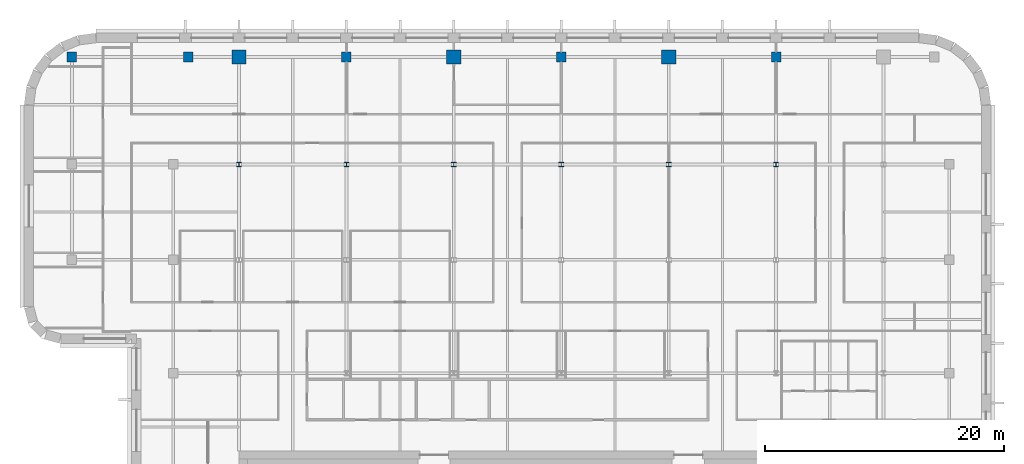
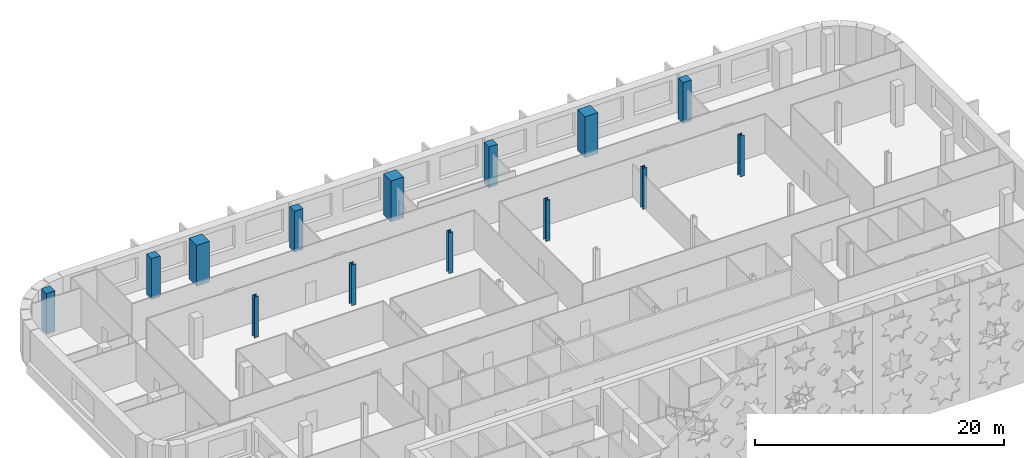
# One storey, part 3 of 18: 14 columns.
"""IFC4 building model written with IfcOpenShell, lengths in metres."""

from ifc_helpers import new_model, si_unit, direction, frame, origin, origin_2d, place, context, subcontext, project, spatial, rectangle, i_section, extrude, material, material_profile, profile_set, type_object, element, save


model = new_model("IFC4")

# Units and contexts
model_context = context("Model", 3, precision=1e-05, world=origin(), true_north=direction((0.0, 1.0)))
body_context = subcontext(model_context, "Body", "Model", "MODEL_VIEW")
ifc_project = project(units=[si_unit("LENGTHUNIT", "METRE"), si_unit("AREAUNIT", "SQUARE_METRE"), si_unit("VOLUMEUNIT", "CUBIC_METRE"), si_unit("PLANEANGLEUNIT", "RADIAN"), si_unit("MASSUNIT", "GRAM", prefix="KILO")], contexts=[model_context])

# Site, building, storey
site_placement = place(None, origin())
site = spatial("IfcSite", under=ifc_project, at=site_placement, CompositionType="ELEMENT")
building_placement = place(site_placement, origin())
building = spatial("IfcBuilding", under=site, at=building_placement, Name="Zellij Exchange Tower", CompositionType="ELEMENT")
storey_placement = place(building_placement, frame((0.0, 0.0, 228.5)))
storey = spatial("IfcBuildingStorey", under=building, at=storey_placement, Name="L53", CompositionType="ELEMENT", Elevation=228.5)

# Columns
ifc_material_1 = material(Name="Concrete C50/60", Category="concrete")
ifc_material_profile_1 = material_profile(ifc_material_1, rectangle(XDim=0.800048828125, YDim=0.800048828125, at=origin_2d()), Name="STR-COLUMN RC800x800 C50/60")
ifc_profile_set_1 = profile_set([ifc_material_profile_1], Name="Concrete C50/60")
column_type_1 = type_object("IfcColumnType", Name="STR-COLUMN RC800x800 C50/60", PredefinedType="COLUMN", material=ifc_profile_set_1)
for number, where, z_axis, x_axis, name in (
    (1, (-41.0, 31.0, 0.0), (0.0, 0.0, 1.0), (1.0, 0.0, 0.0), "C15"),
    (2, (-31.25, 31.0, 0.0), (0.0, 0.0, 1.0), (1.0, 0.0, 0.0), "C15"),
    (3, (-18.0, 31.0, 0.0), (0.0, 0.0, 1.0), (1.0, 0.0, 0.0), "C15"),
    (4, (0.0, 31.0, 0.0), (0.0, 0.0, 1.0), (1.0, 0.0, 0.0), "C15"),
    (5, (18.0, 31.0, 0.0), (0.0, 0.0, 1.0), (1.0, 0.0, 0.0), "C15"),
):
    element("IfcColumn", number, at=place(storey_placement, frame(where, z_axis=z_axis, x_axis=x_axis)), inside=storey, type_object=column_type_1, Name=name, PredefinedType="COLUMN", context=body_context, shape_type="SweptSolid", body=[
        extrude(rectangle(XDim=0.800048828125, YDim=0.800048828125, at=origin_2d()), origin(), (0.0, 0.0, 1.0), 4.0),
    ])
ifc_material_2 = material(Name="Structural steel ASTM A992 Gr 50", Category="steel")
ifc_material_profile_2 = material_profile(ifc_material_2, i_section(OverallWidth=0.398681640625, OverallDepth=0.385986328125, WebThickness=0.02099609375, FlangeThickness=0.033203125, at=origin_2d()), Name="W14x176")
ifc_profile_set_2 = profile_set([ifc_material_profile_2], Name="Structural steel ASTM A992 Gr 50")
column_type_2 = type_object("IfcColumnType", Name="STR-COLUMN W14x176", PredefinedType="COLUMN", material=ifc_profile_set_2)
for number, where, z_axis, x_axis, name in (
    (6, (-27.0, 22.0, 0.0), (0.0, 0.0, 1.0), (1.0, 0.0, 0.0), "C2"),
    (7, (-18.0, 22.0, 0.0), (0.0, 0.0, 1.0), (1.0, 0.0, 0.0), "C2"),
    (8, (-9.0, 22.0, 0.0), (0.0, 0.0, 1.0), (1.0, 0.0, 0.0), "C2"),
    (9, (0.0, 22.0, 0.0), (0.0, 0.0, 1.0), (1.0, 0.0, 0.0), "C2"),
    (10, (9.0, 22.0, 0.0), (0.0, 0.0, 1.0), (1.0, 0.0, 0.0), "C2"),
    (11, (18.0, 22.0, 0.0), (0.0, 0.0, 1.0), (1.0, 0.0, 0.0), "C2"),
):
    element("IfcColumn", number, at=place(storey_placement, frame(where, z_axis=z_axis, x_axis=x_axis)), inside=storey, type_object=column_type_2, Name=name, PredefinedType="COLUMN", context=body_context, shape_type="SweptSolid", body=[
        extrude(i_section(OverallWidth=0.398681640625, OverallDepth=0.385986328125, WebThickness=0.02099609375, FlangeThickness=0.033203125, at=origin_2d()), origin(), (0.0, 0.0, 1.0), 4.0),
    ])
ifc_material_profile_3 = material_profile(ifc_material_1, rectangle(XDim=1.199951171875, YDim=1.199951171875, at=origin_2d()), Name="STR-MEGA COLUMN RC1200x1200 C50/60")
ifc_profile_set_3 = profile_set([ifc_material_profile_3], Name="Concrete C50/60")
column_type_3 = type_object("IfcColumnType", Name="STR-MEGA COLUMN RC1200x1200 C50/60", PredefinedType="COLUMN", material=ifc_profile_set_3)
for number, where, z_axis, x_axis, name in (
    (12, (-27.0, 31.0, 0.0), (0.0, 0.0, 1.0), (1.0, 0.0, 0.0), "MC2"),
    (13, (-9.0, 31.0, 0.0), (0.0, 0.0, 1.0), (1.0, 0.0, 0.0), "MC2"),
    (14, (9.0, 31.0, 0.0), (0.0, 0.0, 1.0), (1.0, 0.0, 0.0), "MC2"),
):
    element("IfcColumn", number, at=place(storey_placement, frame(where, z_axis=z_axis, x_axis=x_axis)), inside=storey, type_object=column_type_3, Name=name, PredefinedType="COLUMN", context=body_context, shape_type="SweptSolid", body=[
        extrude(rectangle(XDim=1.199951171875, YDim=1.199951171875, at=origin_2d()), origin(), (0.0, 0.0, 1.0), 4.0),
    ])

save(model, "model.ifc")
